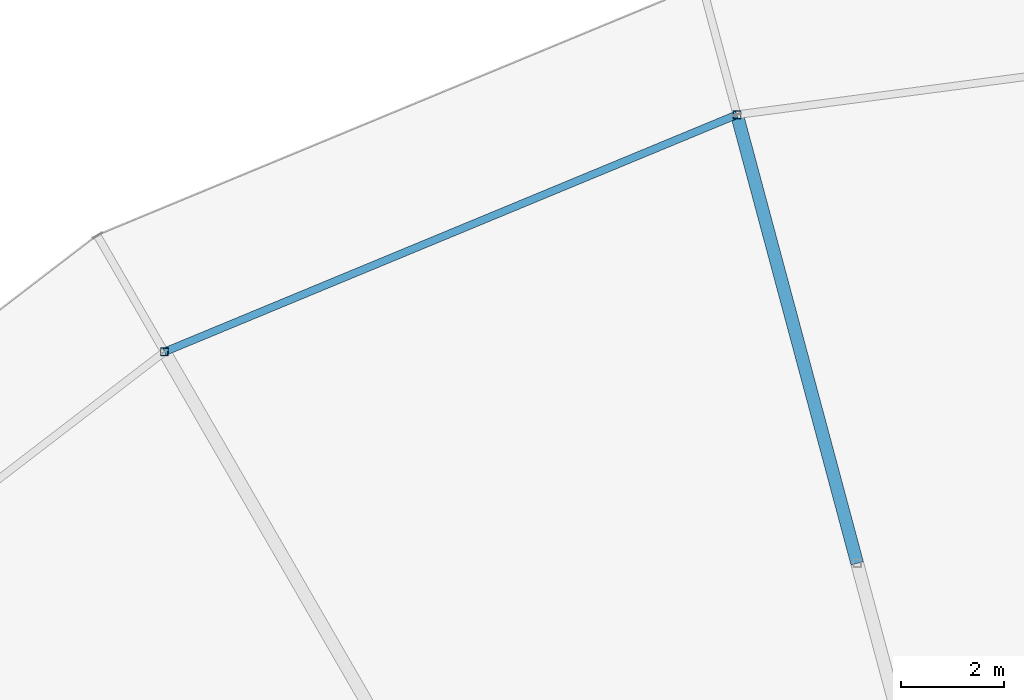
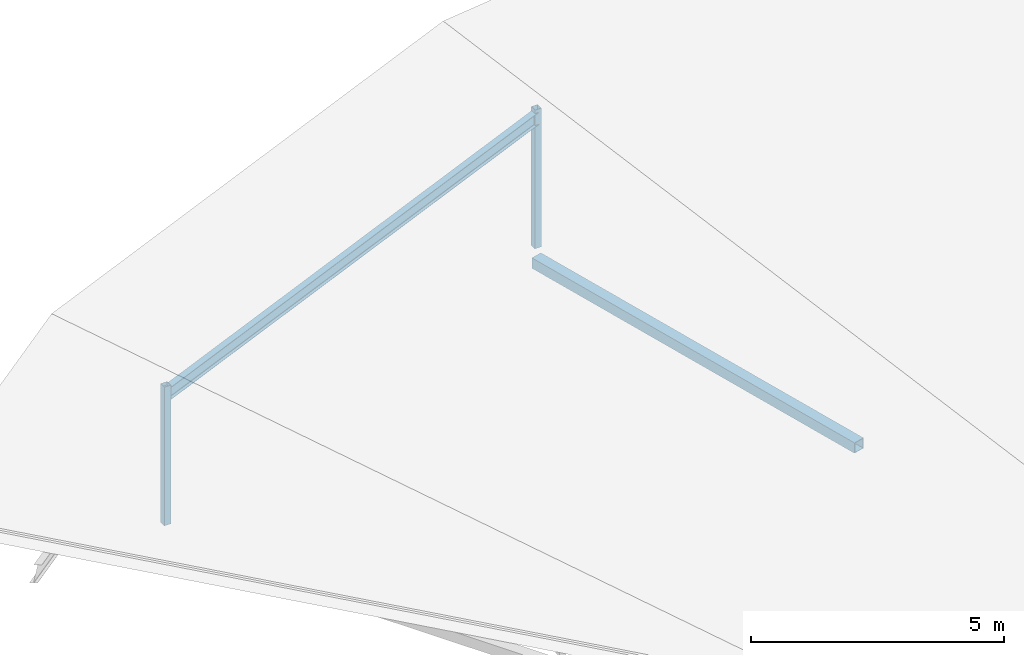
# One storey, part 19 of 70: 3 members, 1 beam.
"""IFC4 building model written with IfcOpenShell, lengths in metres."""

from ifc_helpers import new_model, si_unit, direction, frame, origin, origin_2d, place, context, subcontext, project, spatial, hollow_rectangle, i_section, extrude, material, material_profile, profile_set, type_object, element, save


model = new_model("IFC4")

# Units and contexts
model_context = context("Model", 3, precision=1e-05, world=origin(), true_north=direction((0.0, 1.0)))
body_context = subcontext(model_context, "Body", "Model", "MODEL_VIEW")
ifc_project = project(units=[si_unit("LENGTHUNIT", "METRE"), si_unit("AREAUNIT", "SQUARE_METRE"), si_unit("VOLUMEUNIT", "CUBIC_METRE"), si_unit("PLANEANGLEUNIT", "RADIAN"), si_unit("MASSUNIT", "GRAM", prefix="KILO")], contexts=[model_context])

# Site, building, storey
site_placement = place(None, origin())
site = spatial("IfcSite", under=ifc_project, at=site_placement, CompositionType="ELEMENT")
building_placement = place(site_placement, origin())
building = spatial("IfcBuilding", under=site, at=building_placement, Name="Vondelvale Polytechnic", CompositionType="ELEMENT")
storey_placement = place(building_placement, frame((0.0, 0.0, 22.199951171875)))
storey = spatial("IfcBuildingStorey", under=building, at=storey_placement, Name="L05", CompositionType="ELEMENT", Elevation=22.199951171875)

# Beam
ifc_material_1 = material(Name="Steel 300PLUS (fy = 300 MPa)", Category="steel")
ifc_material_profile_1 = material_profile(ifc_material_1, i_section(OverallWidth=0.14892578125, OverallDepth=0.298095703125, WebThickness=0.005615234375, FlangeThickness=0.008056640625, FilletRadius=0.011474609375, at=origin_2d()), Name="310UB32.0")
ifc_profile_set_1 = profile_set([ifc_material_profile_1], Name="Steel 300PLUS (fy = 300 MPa)")
beam_type = type_object("IfcBeamType", Name="BM-UB310L", PredefinedType="BEAM", material=ifc_profile_set_1)
beam_placement = place(storey_placement, frame((90.09423828125, 116.4326171875, 3.11083984375), z_axis=(-0.923877323614, -0.382688765072, 0.0), x_axis=(0.382688765072, -0.923877323614, 0.0)))
element("IfcBeam", 1, at=beam_placement, inside=storey, type_object=beam_type, Name="L05 RE B-25", PredefinedType="BEAM", context=body_context, shape_type="SweptSolid", body=[
    extrude(i_section(OverallWidth=0.14892578125, OverallDepth=0.298095703125, WebThickness=0.005615234375, FlangeThickness=0.008056640625, FilletRadius=0.011474609375, at=origin_2d()), origin(), (0.0, 0.0, 1.0), 12.00830078125),
])

# Members
ifc_material_2 = material(Name="Steel C350L0 (fy = 350 MPa)", Category="steel")
ifc_material_profile_2 = material_profile(ifc_material_2, hollow_rectangle(XDim=0.25, YDim=0.25, WallThickness=0.009033203125, at=origin_2d()), Name="250x250x9.0SHS")
ifc_profile_set_2 = profile_set([ifc_material_profile_2], Name="Steel C350L0 (fy = 350 MPa)")
member_type_1 = type_object("IfcMemberType", Name="ROOF TRUSS CHORD 250SHS", PredefinedType="CHORD", material=ifc_profile_set_2)
member_placement = place(storey_placement, frame((92.423583984375, 107.7392578125, -0.349853515625), z_axis=(-0.25881563226, 0.965926740751, 0.0), x_axis=(-0.965926740751, -0.25881563226, 0.0)))
element("IfcMember", 2, at=member_placement, inside=storey, type_object=member_type_1, Name="Ring workshop truss chord 07B", PredefinedType="CHORD", context=body_context, shape_type="SweptSolid", body=[
    extrude(hollow_rectangle(XDim=0.25, YDim=0.25, WallThickness=0.009033203125, at=origin_2d()), origin(), (0.0, 0.0, 1.0), 9.0),
])
ifc_material_profile_3 = material_profile(ifc_material_2, hollow_rectangle(XDim=0.14990234375, YDim=0.14990234375, WallThickness=0.006103515625, at=origin_2d()), Name="150x150x6.0SHS")
ifc_profile_set_3 = profile_set([ifc_material_profile_3], Name="Steel C350L0 (fy = 350 MPa)")
member_type_2 = type_object("IfcMemberType", Name="ROOF TRUSS POST 150SHS", PredefinedType="POST", material=ifc_profile_set_3)
for number, where, z_axis, x_axis, name in (
    (3, (90.09423828125, 116.4326171875, 0.0), (0.0, 0.0, 1.0), (1.0, 0.0, 0.0), "Ring outer roof post 07"),
    (4, (79.0, 111.837158203125, 0.0), (0.0, 0.0, 1.0), (1.0, 0.0, 0.0), "Ring outer roof post 08"),
):
    element("IfcMember", number, at=place(storey_placement, frame(where, z_axis=z_axis, x_axis=x_axis)), inside=storey, type_object=member_type_2, Name=name, PredefinedType="POST", context=body_context, shape_type="SweptSolid", body=[
        extrude(hollow_rectangle(XDim=0.14990234375, YDim=0.14990234375, WallThickness=0.006103515625, at=origin_2d()), origin(), (0.0, 0.0, 1.0), 3.33984375),
    ])

save(model, "model.ifc")
